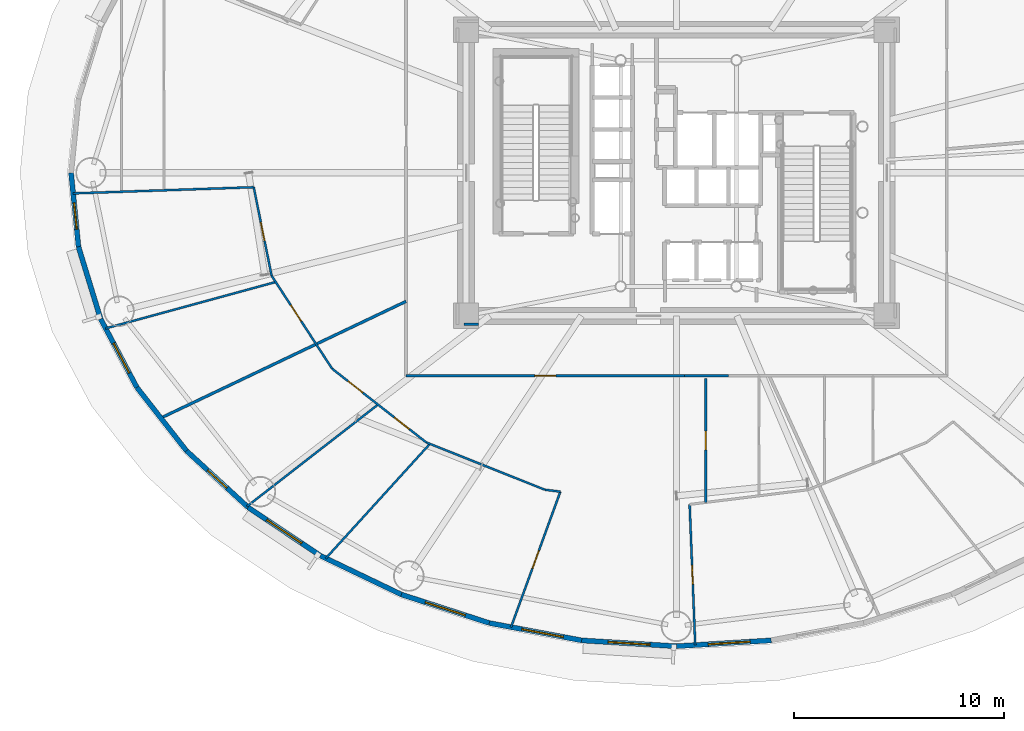
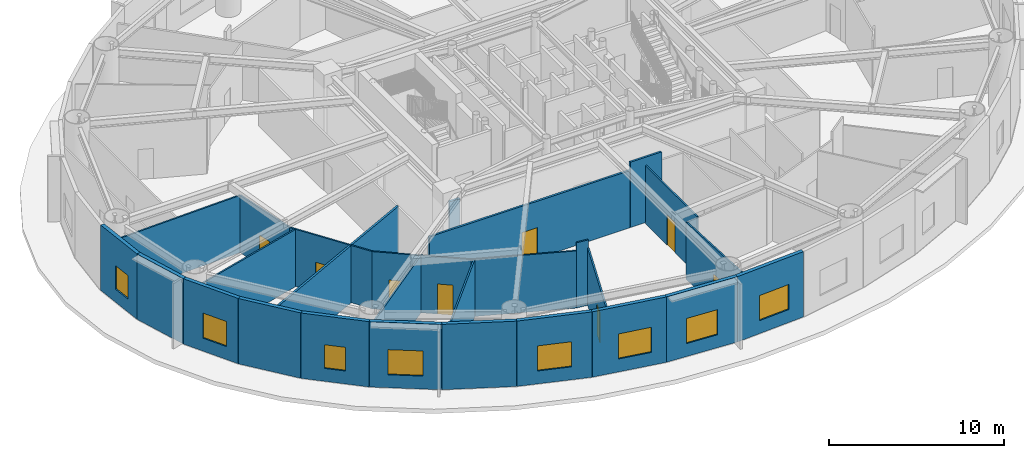
# One storey, part 9 of 19: 27 walls, 8 doors, 8 windows, 16 openings.
"""IFC4 building model written with IfcOpenShell, lengths in metres."""

from ifc_helpers import new_model, si_unit, direction, frame, frame_2d, origin, origin_2d, place, context, subcontext, project, spatial, rectangle, extrude, source, transform, mapped, material, layer, layer_set, type_object, element, fill, save


model = new_model("IFC4")

# Units and contexts
model_context = context("Model", 3, precision=1e-05, world=origin(), true_north=direction((0.0, 1.0)))
body_context = subcontext(model_context, "Body", "Model", "MODEL_VIEW")
ifc_project = project(units=[si_unit("LENGTHUNIT", "METRE"), si_unit("AREAUNIT", "SQUARE_METRE"), si_unit("VOLUMEUNIT", "CUBIC_METRE"), si_unit("PLANEANGLEUNIT", "RADIAN"), si_unit("MASSUNIT", "GRAM", prefix="KILO")], contexts=[model_context])

# Site, building, storey
site_placement = place(None, origin())
site = spatial("IfcSite", under=ifc_project, at=site_placement, CompositionType="ELEMENT")
building_placement = place(site_placement, origin())
building = spatial("IfcBuilding", under=site, at=building_placement, Name="Linh Dai School and Residence Tower", CompositionType="ELEMENT")
storey_placement = place(building_placement, frame((0.0, 0.0, 92.39990234375)))
storey = spatial("IfcBuildingStorey", under=building, at=storey_placement, Name="L21", CompositionType="ELEMENT", Elevation=92.39990234375)

# Wall, opening, window
ifc_material_1 = material(Name="Precast Concrete B45 (C35/45)", Category="concrete")
ifc_layer_1 = layer(ifc_material_1, 0.239990234375)
ifc_layer_set_1 = layer_set([ifc_layer_1], Name="Precast Concrete B45 (C35/45)")
wall_type_1 = type_object("IfcWallType", Name="EW-TC-240", PredefinedType="SOLIDWALL", material=ifc_layer_set_1)
wall_1_placement = place(storey_placement, frame((7.578369140625, 23.484619140625, 0.0), z_axis=(0.0, 0.0, 1.0), x_axis=(-0.099989468229, 0.994988495533, 0.0)))
wall_1 = element("IfcWall", 1, at=wall_1_placement, inside=storey, type_object=wall_type_1, Name="L21 Terracotta Exterior Wall 21", PredefinedType="SOLIDWALL", context=body_context, shape_type="SweptSolid", body=[
    extrude(rectangle(XDim=3.533203125, YDim=0.239990234375, at=frame_2d((1.7666015625, 0.0))), origin(), (0.0, 0.0, 1.0), 4.550048828125),
])
opening_1_placement = place(wall_1_placement, frame((0.8408203125, 0.0, 0.89990234375)))
opening_1 = element("IfcOpeningElement", 2, at=opening_1_placement, cuts=wall_1, Name="Opening W3", PredefinedType="OPENING", context=body_context, shape_type="SweptSolid", body=[
    extrude(rectangle(XDim=1.25, YDim=1.64990234375, at=origin_2d()), frame((0.625, 0.1298828125, 0.824951171875), z_axis=(0.0, -1.0, 0.0), x_axis=(1.0, 0.0, 0.0)), (0.0, 0.0, 1.0), 0.260009765625),
])
ifc_material_2 = material(Name="Double Low-E Insulated Glazing", Category="glass")
window_type_1 = type_object("IfcWindowType", Name="WN-RES-1250x1650", PartitioningType="SINGLE_PANEL", PredefinedType="WINDOW", material=ifc_material_2)
shared_shape_1 = source(origin(), body_context, "Body", "SweptSolid", [
    extrude(rectangle(XDim=1.25, YDim=1.64990234375, at=origin_2d()), frame((0.625, 0.030029296875, 0.824951171875), z_axis=(0.0, -1.0, 0.0), x_axis=(1.0, 0.0, 0.0)), (0.0, 0.0, 1.0), 0.06005859375),
])
window_1_placement = place(opening_1_placement, origin())
window_1 = element("IfcWindow", 3, at=window_1_placement, inside=storey, type_object=window_type_1, Name="L21 Exterior Window 21.1", OverallHeight=1.64990234375, OverallWidth=1.25, PartitioningType="SINGLE_PANEL", PredefinedType="WINDOW", context=body_context, shape_type="MappedRepresentation", body=[
    mapped(shared_shape_1, transform((0.0, 0.0, 0.0), x_axis=(1.0, 0.0, 0.0), y_axis=(0.0, 1.0, 0.0), z_axis=(0.0, 0.0, 1.0), scale=1.0)),
])
fill(opening_1, window_1)

# Wall
wall_2_placement = place(storey_placement, frame((8.6298828125, 20.054931640625, 0.0), z_axis=(0.0, 0.0, 1.0), x_axis=(-0.293124431344, 0.956074300329, 0.0)))
element("IfcWall", 4, at=wall_2_placement, inside=storey, type_object=wall_type_1, Name="L21 Terracotta Exterior Wall 22", PredefinedType="SOLIDWALL", context=body_context, shape_type="SweptSolid", body=[
    extrude(rectangle(XDim=3.587158203125, YDim=0.239990234375, at=frame_2d((1.79345703125, 0.0))), origin(), (0.0, 0.0, 1.0), 4.550048828125),
])

# Wall, opening, window
wall_3_placement = place(storey_placement, frame((10.354736328125, 16.79443359375, 0.0), z_axis=(0.0, 0.0, 1.0), x_axis=(-0.467614004126, 0.883932770716, 0.0)))
wall_3 = element("IfcWall", 5, at=wall_3_placement, inside=storey, type_object=wall_type_1, Name="L21 Terracotta Exterior Wall 23", PredefinedType="SOLIDWALL", context=body_context, shape_type="SweptSolid", body=[
    extrude(rectangle(XDim=3.688720703125, YDim=0.239990234375, at=frame_2d((1.84423828125, 0.0))), origin(), (0.0, 0.0, 1.0), 4.550048828125),
])
opening_2_placement = place(wall_3_placement, frame((0.780517578125, 0.0, 0.89990234375)))
opening_2 = element("IfcOpeningElement", 6, at=opening_2_placement, cuts=wall_3, Name="Opening W2", PredefinedType="OPENING", context=body_context, shape_type="SweptSolid", body=[
    extrude(rectangle(XDim=1.60009765625, YDim=1.75, at=origin_2d()), frame((0.800048828125, 0.1298828125, 0.875), z_axis=(0.0, -1.0, 0.0), x_axis=(1.0, 0.0, 0.0)), (0.0, 0.0, 1.0), 0.260009765625),
])
window_type_2 = type_object("IfcWindowType", Name="WN-RES-1600x1750", PartitioningType="DOUBLE_PANEL_VERTICAL", PredefinedType="WINDOW", material=ifc_material_2)
shared_shape_2 = source(origin(), body_context, "Body", "SweptSolid", [
    extrude(rectangle(XDim=1.60009765625, YDim=1.75, at=origin_2d()), frame((0.800048828125, 0.030029296875, 0.875), z_axis=(0.0, -1.0, 0.0), x_axis=(1.0, 0.0, 0.0)), (0.0, 0.0, 1.0), 0.06005859375),
])
window_2_placement = place(opening_2_placement, origin())
window_2 = element("IfcWindow", 7, at=window_2_placement, inside=storey, type_object=window_type_2, Name="L21 Exterior Window 23.1", OverallHeight=1.75, OverallWidth=1.60009765625, PartitioningType="DOUBLE_PANEL_VERTICAL", PredefinedType="WINDOW", context=body_context, shape_type="MappedRepresentation", body=[
    mapped(shared_shape_2, transform((0.0, 0.0, 0.0), x_axis=(1.0, 0.0, 0.0), y_axis=(0.0, 1.0, 0.0), z_axis=(0.0, 0.0, 1.0), scale=1.0)),
])
fill(opening_2, window_2)

# Wall
wall_4_placement = place(storey_placement, frame((12.7109375, 13.783447265625, 0.0), z_axis=(0.0, 0.0, 1.0), x_axis=(-0.616272103517, 0.787533297345, 0.0)))
element("IfcWall", 8, at=wall_4_placement, inside=storey, type_object=wall_type_1, Name="L21 Terracotta Exterior Wall 24", PredefinedType="SOLIDWALL", context=body_context, shape_type="SweptSolid", body=[
    extrude(rectangle(XDim=3.8232421875, YDim=0.239990234375, at=frame_2d((1.91162109375, 0.0))), origin(), (0.0, 0.0, 1.0), 4.550048828125),
])

# Wall, opening, window
wall_5_placement = place(storey_placement, frame((15.6416015625, 11.0966796875, 0.0), z_axis=(0.0, 0.0, 1.0), x_axis=(-0.737113356241, 0.675769117414, 0.0)))
wall_5 = element("IfcWall", 9, at=wall_5_placement, inside=storey, type_object=wall_type_1, Name="L21 Terracotta Exterior Wall 25", PredefinedType="SOLIDWALL", context=body_context, shape_type="SweptSolid", body=[
    extrude(rectangle(XDim=3.975830078125, YDim=0.239990234375, at=frame_2d((1.98779296875, 0.0))), origin(), (0.0, 0.0, 1.0), 4.550048828125),
])
opening_3_placement = place(wall_5_placement, frame((1.363037109375, 0.0, 0.89990234375)))
opening_3 = element("IfcOpeningElement", 10, at=opening_3_placement, cuts=wall_5, Name="Opening W3", PredefinedType="OPENING", context=body_context, shape_type="SweptSolid", body=[
    extrude(rectangle(XDim=1.25, YDim=1.64990234375, at=origin_2d()), frame((0.625, 0.1298828125, 0.824951171875), z_axis=(0.0, -1.0, 0.0), x_axis=(1.0, 0.0, 0.0)), (0.0, 0.0, 1.0), 0.260009765625),
])
window_3_placement = place(opening_3_placement, origin())
window_3 = element("IfcWindow", 11, at=window_3_placement, inside=storey, type_object=window_type_1, Name="L21 Dwelling Window U2102-BD1", OverallHeight=1.64990234375, OverallWidth=1.25, PartitioningType="SINGLE_PANEL", PredefinedType="WINDOW", context=body_context, shape_type="MappedRepresentation", body=[
    mapped(shared_shape_1, transform((0.0, 0.0, 0.0), x_axis=(1.0, 0.0, 0.0), y_axis=(0.0, 1.0, 0.0), z_axis=(0.0, 0.0, 1.0), scale=1.0)),
])
fill(opening_3, window_3)

wall_6_placement = place(storey_placement, frame((19.07470703125, 8.800537109375, 0.0), z_axis=(0.0, 0.0, 1.0), x_axis=(-0.831221811447, 0.555940914284, 0.0)))
wall_6 = element("IfcWall", 12, at=wall_6_placement, inside=storey, type_object=wall_type_1, Name="L21 Terracotta Exterior Wall 26", PredefinedType="SOLIDWALL", context=body_context, shape_type="SweptSolid", body=[
    extrude(rectangle(XDim=4.130126953125, YDim=0.239990234375, at=frame_2d((2.06494140625, 0.0))), origin(), (0.0, 0.0, 1.0), 4.550048828125),
])
opening_4_placement = place(wall_6_placement, frame((1.06494140625, 0.0, 0.89990234375)))
opening_4 = element("IfcOpeningElement", 13, at=opening_4_placement, cuts=wall_6, Name="Opening W1", PredefinedType="OPENING", context=body_context, shape_type="SweptSolid", body=[
    extrude(rectangle(XDim=2.0, YDim=1.75, at=origin_2d()), frame((1.0, 0.1298828125, 0.875), z_axis=(0.0, -1.0, 0.0), x_axis=(1.0, 0.0, 0.0)), (0.0, 0.0, 1.0), 0.260009765625),
])
window_type_3 = type_object("IfcWindowType", Name="WN-RES-2000x1750", PartitioningType="DOUBLE_PANEL_VERTICAL", PredefinedType="WINDOW", material=ifc_material_2)
shared_shape_3 = source(origin(), body_context, "Body", "SweptSolid", [
    extrude(rectangle(XDim=2.0, YDim=1.75, at=origin_2d()), frame((1.0, 0.030029296875, 0.875), z_axis=(0.0, -1.0, 0.0), x_axis=(1.0, 0.0, 0.0)), (0.0, 0.0, 1.0), 0.06005859375),
])
window_4_placement = place(opening_4_placement, origin())
window_4 = element("IfcWindow", 14, at=window_4_placement, inside=storey, type_object=window_type_3, Name="L21 Exterior Window 26.1", OverallHeight=1.75, OverallWidth=2.0, PartitioningType="DOUBLE_PANEL_VERTICAL", PredefinedType="WINDOW", context=body_context, shape_type="MappedRepresentation", body=[
    mapped(shared_shape_3, transform((0.0, 0.0, 0.0), x_axis=(1.0, 0.0, 0.0), y_axis=(0.0, 1.0, 0.0), z_axis=(0.0, 0.0, 1.0), scale=1.0)),
])
fill(opening_4, window_4)

# Wall
wall_7_placement = place(storey_placement, frame((22.926025390625, 6.95263671875, 0.0), z_axis=(0.0, 0.0, 1.0), x_axis=(-0.901589935876, 0.432591709962, 0.0)))
element("IfcWall", 15, at=wall_7_placement, inside=storey, type_object=wall_type_1, Name="L21 Terracotta Exterior Wall 27", PredefinedType="SOLIDWALL", context=body_context, shape_type="SweptSolid", body=[
    extrude(rectangle(XDim=4.271728515625, YDim=0.239990234375, at=frame_2d((2.1357421875, 0.0))), origin(), (0.0, 0.0, 1.0), 4.550048828125),
])

# Wall, opening, window
wall_8_placement = place(storey_placement, frame((27.100341796875, 5.5986328125, 0.0), z_axis=(0.0, 0.0, 1.0), x_axis=(-0.951211346073, 0.308540070495, 0.0)))
wall_8 = element("IfcWall", 16, at=wall_8_placement, inside=storey, type_object=wall_type_1, Name="L21 Terracotta Exterior Wall 28", PredefinedType="SOLIDWALL", context=body_context, shape_type="SweptSolid", body=[
    extrude(rectangle(XDim=4.388427734375, YDim=0.239990234375, at=frame_2d((2.1943359375, 0.0))), origin(), (0.0, 0.0, 1.0), 4.550048828125),
])
opening_5_placement = place(wall_8_placement, frame((1.194091796875, 0.0, 0.89990234375)))
opening_5 = element("IfcOpeningElement", 17, at=opening_5_placement, cuts=wall_8, Name="Opening W1", PredefinedType="OPENING", context=body_context, shape_type="SweptSolid", body=[
    extrude(rectangle(XDim=2.0, YDim=1.75, at=origin_2d()), frame((1.0, 0.1298828125, 0.875), z_axis=(0.0, -1.0, 0.0), x_axis=(1.0, 0.0, 0.0)), (0.0, 0.0, 1.0), 0.260009765625),
])
window_5_placement = place(opening_5_placement, origin())
window_5 = element("IfcWindow", 18, at=window_5_placement, inside=storey, type_object=window_type_3, Name="L21 Exterior Window 28.1", OverallHeight=1.75, OverallWidth=2.0, PartitioningType="DOUBLE_PANEL_VERTICAL", PredefinedType="WINDOW", context=body_context, shape_type="MappedRepresentation", body=[
    mapped(shared_shape_3, transform((0.0, 0.0, 0.0), x_axis=(1.0, 0.0, 0.0), y_axis=(0.0, 1.0, 0.0), z_axis=(0.0, 0.0, 1.0), scale=1.0)),
])
fill(opening_5, window_5)

wall_9_placement = place(storey_placement, frame((31.494384765625, 4.772705078125, 0.0), z_axis=(0.0, 0.0, 1.0), x_axis=(-0.982789252177, 0.184730305596, 0.0)))
wall_9 = element("IfcWall", 19, at=wall_9_placement, inside=storey, type_object=wall_type_1, Name="L21 Terracotta Exterior Wall 29", PredefinedType="SOLIDWALL", context=body_context, shape_type="SweptSolid", body=[
    extrude(rectangle(XDim=4.470947265625, YDim=0.239990234375, at=frame_2d((2.2353515625, 0.0))), origin(), (0.0, 0.0, 1.0), 4.550048828125),
])
opening_6_placement = place(wall_9_placement, frame((0.890380859375, 0.0, 0.89990234375)))
opening_6 = element("IfcOpeningElement", 20, at=opening_6_placement, cuts=wall_9, Name="Opening W1", PredefinedType="OPENING", context=body_context, shape_type="SweptSolid", body=[
    extrude(rectangle(XDim=2.0, YDim=1.75, at=origin_2d()), frame((1.0, 0.1298828125, 0.875), z_axis=(0.0, -1.0, 0.0), x_axis=(1.0, 0.0, 0.0)), (0.0, 0.0, 1.0), 0.260009765625),
])
window_6_placement = place(opening_6_placement, origin())
window_6 = element("IfcWindow", 21, at=window_6_placement, inside=storey, type_object=window_type_3, Name="L21 Exterior Window 29.1", OverallHeight=1.75, OverallWidth=2.0, PartitioningType="DOUBLE_PANEL_VERTICAL", PredefinedType="WINDOW", context=body_context, shape_type="MappedRepresentation", body=[
    mapped(shared_shape_3, transform((0.0, 0.0, 0.0), x_axis=(1.0, 0.0, 0.0), y_axis=(0.0, 1.0, 0.0), z_axis=(0.0, 0.0, 1.0), scale=1.0)),
])
fill(opening_6, window_6)

wall_10_placement = place(storey_placement, frame((36.0, 4.4951171875, 0.0), z_axis=(0.0, 0.0, 1.0), x_axis=(-0.998107531589, 0.061492726276, 0.0)))
wall_10 = element("IfcWall", 22, at=wall_10_placement, inside=storey, type_object=wall_type_1, Name="L21 Terracotta Exterior Wall 30", PredefinedType="SOLIDWALL", context=body_context, shape_type="SweptSolid", body=[
    extrude(rectangle(XDim=4.51416015625, YDim=0.239990234375, at=frame_2d((2.257080078125, 0.0))), origin(), (0.0, 0.0, 1.0), 4.550048828125),
])
opening_7_placement = place(wall_10_placement, frame((1.257080078125, 0.0, 0.89990234375)))
opening_7 = element("IfcOpeningElement", 23, at=opening_7_placement, cuts=wall_10, Name="Opening W1", PredefinedType="OPENING", context=body_context, shape_type="SweptSolid", body=[
    extrude(rectangle(XDim=2.0, YDim=1.75, at=origin_2d()), frame((1.0, 0.1298828125, 0.875), z_axis=(0.0, -1.0, 0.0), x_axis=(1.0, 0.0, 0.0)), (0.0, 0.0, 1.0), 0.260009765625),
])
window_7_placement = place(opening_7_placement, origin())
window_7 = element("IfcWindow", 24, at=window_7_placement, inside=storey, type_object=window_type_3, Name="L21 Exterior Window 30.1", OverallHeight=1.75, OverallWidth=2.0, PartitioningType="DOUBLE_PANEL_VERTICAL", PredefinedType="WINDOW", context=body_context, shape_type="MappedRepresentation", body=[
    mapped(shared_shape_3, transform((0.0, 0.0, 0.0), x_axis=(1.0, 0.0, 0.0), y_axis=(0.0, 1.0, 0.0), z_axis=(0.0, 0.0, 1.0), scale=1.0)),
])
fill(opening_7, window_7)

wall_11_placement = place(storey_placement, frame((40.505615234375, 4.772705078125, 0.0), z_axis=(0.0, 0.0, 1.0), x_axis=(-0.998107531589, -0.061492726276, 0.0)))
wall_11 = element("IfcWall", 25, at=wall_11_placement, inside=storey, type_object=wall_type_1, Name="L21 Terracotta Exterior Wall 31", PredefinedType="SOLIDWALL", context=body_context, shape_type="SweptSolid", body=[
    extrude(rectangle(XDim=4.51416015625, YDim=0.239990234375, at=frame_2d((2.257080078125, 0.0))), origin(), (0.0, 0.0, 1.0), 4.550048828125),
])
opening_8_placement = place(wall_11_placement, frame((1.00146484375, 0.0, 0.89990234375)))
opening_8 = element("IfcOpeningElement", 26, at=opening_8_placement, cuts=wall_11, Name="Opening W1", PredefinedType="OPENING", context=body_context, shape_type="SweptSolid", body=[
    extrude(rectangle(XDim=2.0, YDim=1.75, at=origin_2d()), frame((1.0, 0.1298828125, 0.875), z_axis=(0.0, -1.0, 0.0), x_axis=(1.0, 0.0, 0.0)), (0.0, 0.0, 1.0), 0.260009765625),
])
window_8_placement = place(opening_8_placement, origin())
window_8 = element("IfcWindow", 27, at=window_8_placement, inside=storey, type_object=window_type_3, Name="L21 Exterior Window 31.1", OverallHeight=1.75, OverallWidth=2.0, PartitioningType="DOUBLE_PANEL_VERTICAL", PredefinedType="WINDOW", context=body_context, shape_type="MappedRepresentation", body=[
    mapped(shared_shape_3, transform((0.0, 0.0, 0.0), x_axis=(1.0, 0.0, 0.0), y_axis=(0.0, 1.0, 0.0), z_axis=(0.0, 0.0, 1.0), scale=1.0)),
])
fill(opening_8, window_8)

# Wall
ifc_material_3 = material(Name="Autoclaved Aerated Concrete Blockwork", Category="masonry")
ifc_layer_2 = layer(ifc_material_3, 0.135009765625)
ifc_layer_set_2 = layer_set([ifc_layer_2], Name="Autoclaved Aerated Concrete Blockwork")
wall_type_2 = type_object("IfcWallType", Name="IW-CORR-135-EI90", PredefinedType="PARTITIONING", material=ifc_layer_set_2)
wall_12_placement = place(storey_placement, frame((11.486328125, 15.34033203125, 0.0), z_axis=(0.0, 0.0, 1.0), x_axis=(0.903055043221, 0.429524840857, 0.0)))
element("IfcWall", 28, at=wall_12_placement, inside=storey, type_object=wall_type_2, Name="L21 Interior Partition Wall 005", PredefinedType="PARTITIONING", context=body_context, shape_type="SweptSolid", body=[
    extrude(rectangle(XDim=12.915771484375, YDim=0.135009765625, at=frame_2d((6.4580078125, 0.0))), origin(), (0.0, 0.0, 1.0), 3.985107421875),
])

# Wall, opening, door
wall_13_placement = place(storey_placement, frame((23.14990234375, 17.35009765625, 0.0), z_axis=(0.0, 0.0, 1.0), x_axis=(1.0, 0.0, 0.0)))
wall_13 = element("IfcWall", 29, at=wall_13_placement, inside=storey, type_object=wall_type_2, Name="L21 Interior Partition Wall 018", PredefinedType="PARTITIONING", context=body_context, shape_type="SweptSolid", body=[
    extrude(rectangle(XDim=13.234619140625, YDim=0.135009765625, at=frame_2d((6.6171875, 0.0))), origin(), (0.0, 0.0, 1.0), 3.985107421875),
])
opening_9_placement = place(wall_13_placement, frame((6.1171875, 0.0, 0.0)))
opening_9 = element("IfcOpeningElement", 30, at=opening_9_placement, cuts=wall_13, Name="Opening D03", PredefinedType="OPENING", context=body_context, shape_type="SweptSolid", body=[
    extrude(rectangle(XDim=1.0, YDim=2.14990234375, at=origin_2d()), frame((0.5, 0.07763671875, 1.074951171875), z_axis=(0.0, -1.0, 0.0), x_axis=(1.0, 0.0, 0.0)), (0.0, 0.0, 1.0), 0.155029296875),
])
ifc_material_4 = material(Name="Fire-Rated Solid Timber Entrance Door", Category="wood")
door_type_1 = type_object("IfcDoorType", Name="DR-FLAT-1000x2150-FD60S", OperationType="NOTDEFINED", PredefinedType="DOOR", material=ifc_material_4)
shared_shape_4 = source(origin(), body_context, "Body", "SweptSolid", [
    extrude(rectangle(XDim=1.0, YDim=2.14990234375, at=origin_2d()), frame((0.5, 0.02490234375, 1.074951171875), z_axis=(0.0, -1.0, 0.0), x_axis=(1.0, 0.0, 0.0)), (0.0, 0.0, 1.0), 0.050048828125),
])
door_1_placement = place(opening_9_placement, origin())
door_1 = element("IfcDoor", 31, at=door_1_placement, inside=storey, type_object=door_type_1, Name="L21 U2102 Apartment Entrance Door", OperationType="SINGLE_SWING_LEFT", OverallHeight=2.14990234375, OverallWidth=1.0, PredefinedType="DOOR", context=body_context, shape_type="MappedRepresentation", body=[
    mapped(shared_shape_4, transform((0.0, 0.0, 0.0), x_axis=(1.0, 0.0, 0.0), y_axis=(0.0, 1.0, 0.0), z_axis=(0.0, 0.0, 1.0), scale=1.0)),
])
fill(opening_9, door_1)

# Walls
wall_14_placement = place(storey_placement, frame((38.467041015625, 17.35009765625, 0.0), z_axis=(0.0, 0.0, 1.0), x_axis=(-1.0, 0.0, 0.0)))
element("IfcWall", 32, at=wall_14_placement, inside=storey, type_object=wall_type_2, Name="L21 Interior Partition Wall 090", PredefinedType="PARTITIONING", context=body_context, shape_type="SweptSolid", body=[
    extrude(rectangle(XDim=2.072509765625, YDim=0.135009765625, at=frame_2d((1.0361328125, 0.0))), origin(), (0.0, 0.0, 1.0), 4.550048828125),
])
wall_15_placement = place(storey_placement, frame((25.907470703125, 19.800048828125, 0.0), z_axis=(0.0, 0.0, 1.0), x_axis=(1.0, 0.0, 0.0)))
element("IfcWall", 33, at=wall_15_placement, inside=storey, type_object=wall_type_2, Name="L21 Interior Partition Wall 095", PredefinedType="PARTITIONING", context=body_context, shape_type="SweptSolid", body=[
    extrude(rectangle(XDim=0.6826171875, YDim=0.135009765625, at=frame_2d((0.34130859375, 0.0))), origin(), (0.0, 0.0, 1.0), 3.985107421875),
])
ifc_material_5 = material(Name="Gypsum Plasterboard Acoustic Stud Partition", Category="masonry")
ifc_layer_3 = layer(ifc_material_5, 0.10009765625)
ifc_layer_set_3 = layer_set([ifc_layer_3], Name="Gypsum Plasterboard Acoustic Stud Partition")
wall_type_3 = type_object("IfcWallType", Name="IW-UNIT-100", PredefinedType="PARTITIONING", material=ifc_layer_set_3)
wall_16_placement = place(storey_placement, frame((7.318603515625, 26.019287109375, 0.0), z_axis=(0.0, 0.0, 1.0), x_axis=(0.999416042933, 0.034169769216, 0.0)))
element("IfcWall", 34, at=wall_16_placement, inside=storey, type_object=wall_type_3, Name="L21 Interior Partition Wall 001", PredefinedType="PARTITIONING", context=body_context, shape_type="SweptSolid", body=[
    extrude(rectangle(XDim=8.595458984375, YDim=0.10009765625, at=frame_2d((4.2978515625, 0.0))), origin(), (0.0, 0.0, 1.0), 3.985107421875),
])
wall_17_placement = place(storey_placement, frame((8.86376953125, 19.60205078125, 0.0), z_axis=(0.0, 0.0, 1.0), x_axis=(0.964794050911, 0.263006538565, 0.0)))
element("IfcWall", 35, at=wall_17_placement, inside=storey, type_object=wall_type_3, Name="L21 Interior Partition Wall 002", PredefinedType="PARTITIONING", context=body_context, shape_type="SweptSolid", body=[
    extrude(rectangle(XDim=8.385009765625, YDim=0.10009765625, at=frame_2d((4.1923828125, 0.0))), origin(), (0.0, 0.0, 1.0), 3.985107421875),
])
wall_18_placement = place(storey_placement, frame((15.5859375, 11.14111328125, 0.0), z_axis=(0.0, 0.0, 1.0), x_axis=(0.789708718244, 0.613481980445, 0.0)))
element("IfcWall", 36, at=wall_18_placement, inside=storey, type_object=wall_type_3, Name="L21 Interior Partition Wall 008", PredefinedType="PARTITIONING", context=body_context, shape_type="SweptSolid", body=[
    extrude(rectangle(XDim=7.888427734375, YDim=0.10009765625, at=frame_2d((3.9443359375, 0.0))), origin(), (0.0, 0.0, 1.0), 3.985107421875),
])

# Wall, opening, door
wall_19_placement = place(storey_placement, frame((15.908935546875, 26.31298828125, 0.0), z_axis=(0.0, 0.0, 1.0), x_axis=(0.198237240658, -0.980154067694, 0.0)))
wall_19 = element("IfcWall", 37, at=wall_19_placement, inside=storey, type_object=wall_type_3, Name="L21 Interior Partition Wall 009", PredefinedType="PARTITIONING", context=body_context, shape_type="SweptSolid", body=[
    extrude(rectangle(XDim=4.293212890625, YDim=0.10009765625, at=frame_2d((2.146484375, 0.0))), origin(), (0.0, 0.0, 1.0), 3.985107421875),
])
opening_10_placement = place(wall_19_placement, frame((1.69677734375, 0.0, 0.0)))
opening_10 = element("IfcOpeningElement", 38, at=opening_10_placement, cuts=wall_19, Name="Opening D05", PredefinedType="OPENING", context=body_context, shape_type="SweptSolid", body=[
    extrude(rectangle(XDim=0.89990234375, YDim=2.10009765625, at=origin_2d()), frame((0.449951171875, 0.06005859375, 1.050048828125), z_axis=(0.0, -1.0, 0.0), x_axis=(1.0, 0.0, 0.0)), (0.0, 0.0, 1.0), 0.1201171875),
])
ifc_material_6 = material(Name="Engineered Timber Internal Door", Category="wood")
door_type_2 = type_object("IfcDoorType", Name="DR-INT-900x2100", OperationType="NOTDEFINED", PredefinedType="DOOR", material=ifc_material_6)
shared_shape_5 = source(origin(), body_context, "Body", "SweptSolid", [
    extrude(rectangle(XDim=0.89990234375, YDim=2.10009765625, at=origin_2d()), frame((0.449951171875, 0.02490234375, 1.050048828125), z_axis=(0.0, -1.0, 0.0), x_axis=(1.0, 0.0, 0.0)), (0.0, 0.0, 1.0), 0.050048828125),
])
door_2_placement = place(opening_10_placement, origin())
door_2 = element("IfcDoor", 39, at=door_2_placement, inside=storey, type_object=door_type_2, Name="L21 Apartment U2101 Principal Bedroom 2 Door", OperationType="SINGLE_SWING_LEFT", OverallHeight=2.10009765625, OverallWidth=0.89990234375, PredefinedType="DOOR", context=body_context, shape_type="MappedRepresentation", body=[
    mapped(shared_shape_5, transform((0.0, 0.0, 0.0), x_axis=(1.0, 0.0, 0.0), y_axis=(0.0, 1.0, 0.0), z_axis=(0.0, 0.0, 1.0), scale=1.0)),
])
fill(opening_10, door_2)

wall_20_placement = place(storey_placement, frame((16.760009765625, 22.10498046875, 0.0), z_axis=(0.0, 0.0, 1.0), x_axis=(0.545405249109, -0.838172484781, 0.0)))
wall_20 = element("IfcWall", 40, at=wall_20_placement, inside=storey, type_object=wall_type_3, Name="L21 Interior Partition Wall 010", PredefinedType="PARTITIONING", context=body_context, shape_type="SweptSolid", body=[
    extrude(rectangle(XDim=5.2685546875, YDim=0.10009765625, at=frame_2d((2.63427734375, 0.0))), origin(), (0.0, 0.0, 1.0), 3.985107421875),
])
opening_11_placement = place(wall_20_placement, frame((1.666259765625, 0.0, 0.0)))
opening_11 = element("IfcOpeningElement", 41, at=opening_11_placement, cuts=wall_20, Name="Opening D05", PredefinedType="OPENING", context=body_context, shape_type="SweptSolid", body=[
    extrude(rectangle(XDim=0.89990234375, YDim=2.10009765625, at=origin_2d()), frame((0.449951171875, 0.06005859375, 1.050048828125), z_axis=(0.0, -1.0, 0.0), x_axis=(1.0, 0.0, 0.0)), (0.0, 0.0, 1.0), 0.1201171875),
])
door_3_placement = place(opening_11_placement, origin())
door_3 = element("IfcDoor", 42, at=door_3_placement, inside=storey, type_object=door_type_2, Name="L21 Apartment U2101 Study Door", OperationType="SINGLE_SWING_RIGHT", OverallHeight=2.10009765625, OverallWidth=0.89990234375, PredefinedType="DOOR", context=body_context, shape_type="MappedRepresentation", body=[
    mapped(shared_shape_5, transform((0.0, 0.0, 0.0), x_axis=(1.0, 0.0, 0.0), y_axis=(0.0, 1.0, 0.0), z_axis=(0.0, 0.0, 1.0), scale=1.0)),
])
fill(opening_11, door_3)

# Wall
wall_21_placement = place(storey_placement, frame((19.3330078125, 8.671142578125, 0.0), z_axis=(0.0, 0.0, 1.0), x_axis=(0.672765273406, 0.739855990649, 0.0)))
element("IfcWall", 43, at=wall_21_placement, inside=storey, type_object=wall_type_3, Name="L21 Interior Partition Wall 013", PredefinedType="PARTITIONING", context=body_context, shape_type="SweptSolid", body=[
    extrude(rectangle(XDim=7.35791015625, YDim=0.10009765625, at=frame_2d((3.678955078125, 0.0))), origin(), (0.0, 0.0, 1.0), 3.985107421875),
])

# Wall, openings, doors
wall_22_placement = place(storey_placement, frame((19.633544921875, 17.68896484375, 0.0), z_axis=(0.0, 0.0, 1.0), x_axis=(0.787333679705, -0.616527109544, 0.0)))
wall_22 = element("IfcWall", 44, at=wall_22_placement, inside=storey, type_object=wall_type_3, Name="L21 Interior Partition Wall 014", PredefinedType="PARTITIONING", context=body_context, shape_type="SweptSolid", body=[
    extrude(rectangle(XDim=5.6845703125, YDim=0.10009765625, at=frame_2d((2.84228515625, 0.0))), origin(), (0.0, 0.0, 1.0), 3.985107421875),
])
opening_12_placement = place(wall_22_placement, frame((0.95556640625, 0.0, 0.0)))
opening_12 = element("IfcOpeningElement", 45, at=opening_12_placement, cuts=wall_22, Name="Opening D05", PredefinedType="OPENING", context=body_context, shape_type="SweptSolid", body=[
    extrude(rectangle(XDim=0.89990234375, YDim=2.10009765625, at=origin_2d()), frame((0.449951171875, 0.06005859375, 1.050048828125), z_axis=(0.0, -1.0, 0.0), x_axis=(1.0, 0.0, 0.0)), (0.0, 0.0, 1.0), 0.1201171875),
])
opening_13_placement = place(wall_22_placement, frame((3.7578125, 0.0, 0.0)))
opening_13 = element("IfcOpeningElement", 46, at=opening_13_placement, cuts=wall_22, Name="Opening D05", PredefinedType="OPENING", context=body_context, shape_type="SweptSolid", body=[
    extrude(rectangle(XDim=0.89990234375, YDim=2.10009765625, at=origin_2d()), frame((0.449951171875, 0.06005859375, 1.050048828125), z_axis=(0.0, -1.0, 0.0), x_axis=(1.0, 0.0, 0.0)), (0.0, 0.0, 1.0), 0.1201171875),
])
door_4_placement = place(opening_12_placement, origin())
door_4 = element("IfcDoor", 47, at=door_4_placement, inside=storey, type_object=door_type_2, Name="L21 Apartment U2102 Principal Bedroom 1 Door", OperationType="SINGLE_SWING_RIGHT", OverallHeight=2.10009765625, OverallWidth=0.89990234375, PredefinedType="DOOR", context=body_context, shape_type="MappedRepresentation", body=[
    mapped(shared_shape_5, transform((0.0, 0.0, 0.0), x_axis=(1.0, 0.0, 0.0), y_axis=(0.0, 1.0, 0.0), z_axis=(0.0, 0.0, 1.0), scale=1.0)),
])
fill(opening_12, door_4)
door_5_placement = place(opening_13_placement, origin())
door_5 = element("IfcDoor", 48, at=door_5_placement, inside=storey, type_object=door_type_2, Name="L21 Apartment U2102 Study Door", OperationType="SINGLE_SWING_LEFT", OverallHeight=2.10009765625, OverallWidth=0.89990234375, PredefinedType="DOOR", context=body_context, shape_type="MappedRepresentation", body=[
    mapped(shared_shape_5, transform((0.0, 0.0, 0.0), x_axis=(1.0, 0.0, 0.0), y_axis=(0.0, 1.0, 0.0), z_axis=(0.0, 0.0, 1.0), scale=1.0)),
])
fill(opening_13, door_5)

# Wall
wall_23_placement = place(storey_placement, frame((24.109130859375, 14.184326171875, 0.0), z_axis=(0.0, 0.0, 1.0), x_axis=(0.928803554156, -0.370572473055, 0.0)))
element("IfcWall", 49, at=wall_23_placement, inside=storey, type_object=wall_type_3, Name="L21 Interior Partition Wall 021", PredefinedType="PARTITIONING", context=body_context, shape_type="SweptSolid", body=[
    extrude(rectangle(XDim=6.07177734375, YDim=0.10009765625, at=frame_2d((3.035888671875, 0.0))), origin(), (0.0, 0.0, 1.0), 3.985107421875),
])

# Wall, opening, door
wall_24_placement = place(storey_placement, frame((28.1376953125, 5.398681640625, 0.0), z_axis=(0.0, 0.0, 1.0), x_axis=(0.342028873388, 0.939689443257, 0.0)))
wall_24 = element("IfcWall", 50, at=wall_24_placement, inside=storey, type_object=wall_type_3, Name="L21 Interior Partition Wall 023", PredefinedType="PARTITIONING", context=body_context, shape_type="SweptSolid", body=[
    extrude(rectangle(XDim=6.858154296875, YDim=0.10009765625, at=frame_2d((3.42919921875, 0.0))), origin(), (0.0, 0.0, 1.0), 3.985107421875),
])
opening_14_placement = place(wall_24_placement, frame((2.97900390625, 0.0, 0.0)))
opening_14 = element("IfcOpeningElement", 51, at=opening_14_placement, cuts=wall_24, Name="Opening D05", PredefinedType="OPENING", context=body_context, shape_type="SweptSolid", body=[
    extrude(rectangle(XDim=0.89990234375, YDim=2.10009765625, at=origin_2d()), frame((0.449951171875, 0.06005859375, 1.050048828125), z_axis=(0.0, -1.0, 0.0), x_axis=(1.0, 0.0, 0.0)), (0.0, 0.0, 1.0), 0.1201171875),
])
door_6_placement = place(opening_14_placement, origin())
door_6 = element("IfcDoor", 52, at=door_6_placement, inside=storey, type_object=door_type_2, Name="L21 Apartment U2102 Principal Bedroom 2 Door", OperationType="SINGLE_SWING_RIGHT", OverallHeight=2.10009765625, OverallWidth=0.89990234375, PredefinedType="DOOR", context=body_context, shape_type="MappedRepresentation", body=[
    mapped(shared_shape_5, transform((0.0, 0.0, 0.0), x_axis=(1.0, 0.0, 0.0), y_axis=(0.0, 1.0, 0.0), z_axis=(0.0, 0.0, 1.0), scale=1.0)),
])
fill(opening_14, door_6)

# Wall
wall_25_placement = place(storey_placement, frame((29.74853515625, 11.934326171875, 0.0), z_axis=(0.0, 0.0, 1.0), x_axis=(0.992409197435, -0.122979611509, 0.0)))
element("IfcWall", 53, at=wall_25_placement, inside=storey, type_object=wall_type_3, Name="L21 Interior Partition Wall 026", PredefinedType="PARTITIONING", context=body_context, shape_type="SweptSolid", body=[
    extrude(rectangle(XDim=0.740478515625, YDim=0.10009765625, at=frame_2d((0.3701171875, 0.0))), origin(), (0.0, 0.0, 1.0), 4.550048828125),
])

# Wall, opening, door
wall_26_placement = place(storey_placement, frame((36.6279296875, 11.23681640625, 0.0), z_axis=(0.0, 0.0, 1.0), x_axis=(0.039809346011, -0.999207293794, 0.0)))
wall_26 = element("IfcWall", 54, at=wall_26_placement, inside=storey, type_object=wall_type_3, Name="L21 Interior Partition Wall 047", PredefinedType="PARTITIONING", context=body_context, shape_type="SweptSolid", body=[
    extrude(rectangle(XDim=6.697021484375, YDim=0.10009765625, at=frame_2d((3.3486328125, 0.0))), origin(), (0.0, 0.0, 1.0), 3.985107421875),
])
opening_15_placement = place(wall_26_placement, frame((2.8984375, 0.0, 0.0)))
opening_15 = element("IfcOpeningElement", 55, at=opening_15_placement, cuts=wall_26, Name="Opening D05", PredefinedType="OPENING", context=body_context, shape_type="SweptSolid", body=[
    extrude(rectangle(XDim=0.89990234375, YDim=2.10009765625, at=origin_2d()), frame((0.449951171875, 0.06005859375, 1.050048828125), z_axis=(0.0, -1.0, 0.0), x_axis=(1.0, 0.0, 0.0)), (0.0, 0.0, 1.0), 0.1201171875),
])
door_7_placement = place(opening_15_placement, origin())
door_7 = element("IfcDoor", 56, at=door_7_placement, inside=storey, type_object=door_type_2, Name="L21 Apartment U2102 Principal Bedroom 3 Door", OperationType="SINGLE_SWING_LEFT", OverallHeight=2.10009765625, OverallWidth=0.89990234375, PredefinedType="DOOR", context=body_context, shape_type="MappedRepresentation", body=[
    mapped(shared_shape_5, transform((0.0, 0.0, 0.0), x_axis=(1.0, 0.0, 0.0), y_axis=(0.0, 1.0, 0.0), z_axis=(0.0, 0.0, 1.0), scale=1.0)),
])
fill(opening_15, door_7)

wall_27_placement = place(storey_placement, frame((37.39306640625, 11.331787109375, 0.0), z_axis=(0.0, 0.0, 1.0), x_axis=(0.0, 1.0, 0.0)))
wall_27 = element("IfcWall", 57, at=wall_27_placement, inside=storey, type_object=wall_type_3, Name="L21 Interior Partition Wall 051", PredefinedType="PARTITIONING", context=body_context, shape_type="SweptSolid", body=[
    extrude(rectangle(XDim=5.8837890625, YDim=0.10009765625, at=frame_2d((2.94189453125, 0.0))), origin(), (0.0, 0.0, 1.0), 4.03515625),
])
opening_16_placement = place(wall_27_placement, frame((2.491943359375, 0.0, 0.0)))
opening_16 = element("IfcOpeningElement", 58, at=opening_16_placement, cuts=wall_27, Name="Opening D05", PredefinedType="OPENING", context=body_context, shape_type="SweptSolid", body=[
    extrude(rectangle(XDim=0.89990234375, YDim=2.10009765625, at=origin_2d()), frame((0.449951171875, 0.06005859375, 1.050048828125), z_axis=(0.0, -1.0, 0.0), x_axis=(1.0, 0.0, 0.0)), (0.0, 0.0, 1.0), 0.1201171875),
])
door_8_placement = place(opening_16_placement, origin())
door_8 = element("IfcDoor", 59, at=door_8_placement, inside=storey, type_object=door_type_2, Name="L21 Apartment U2102 Kitchen Door", OperationType="SINGLE_SWING_RIGHT", OverallHeight=2.10009765625, OverallWidth=0.89990234375, PredefinedType="DOOR", context=body_context, shape_type="MappedRepresentation", body=[
    mapped(shared_shape_5, transform((0.0, 0.0, 0.0), x_axis=(1.0, 0.0, 0.0), y_axis=(0.0, 1.0, 0.0), z_axis=(0.0, 0.0, 1.0), scale=1.0)),
])
fill(opening_16, door_8)

save(model, "model.ifc")
